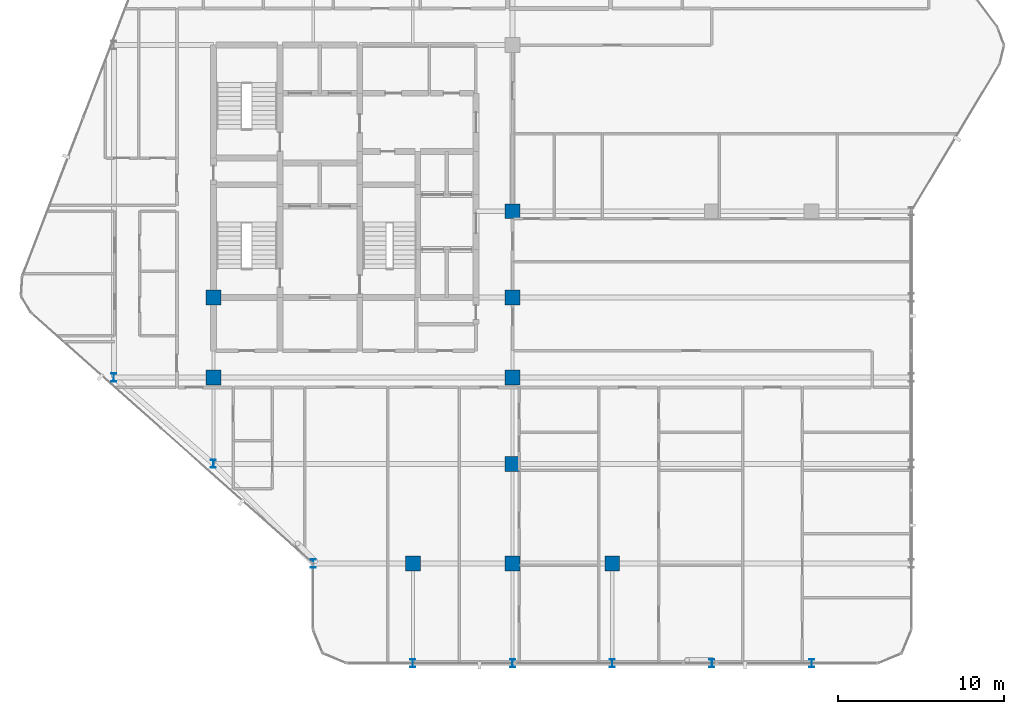
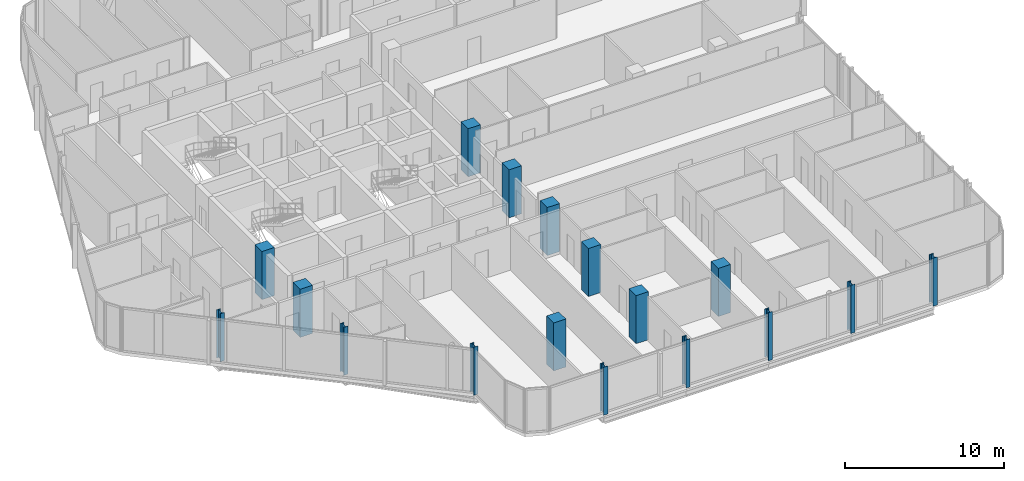
# One storey, part 1 of 31: 17 columns.
"""IFC4 building model written with IfcOpenShell, lengths in metres."""

from ifc_helpers import new_model, si_unit, direction, frame, origin, origin_2d, place, context, subcontext, project, spatial, rectangle, i_section, extrude, material, material_profile, profile_set, type_object, element, save


model = new_model("IFC4")

# Units and contexts
model_context = context("Model", 3, precision=1e-05, world=origin(), true_north=direction((0.0, 1.0)))
body_context = subcontext(model_context, "Body", "Model", "MODEL_VIEW")
ifc_project = project(units=[si_unit("LENGTHUNIT", "METRE"), si_unit("AREAUNIT", "SQUARE_METRE"), si_unit("VOLUMEUNIT", "CUBIC_METRE"), si_unit("PLANEANGLEUNIT", "RADIAN"), si_unit("MASSUNIT", "GRAM", prefix="KILO")], contexts=[model_context])

# Site, building, storey
site_placement = place(None, origin())
site = spatial("IfcSite", under=ifc_project, at=site_placement, CompositionType="ELEMENT")
building_placement = place(site_placement, origin())
building = spatial("IfcBuilding", under=site, at=building_placement, Name="Keshet Zoharim Tower", CompositionType="ELEMENT")
storey_placement = place(building_placement, frame((0.0, 0.0, 148.300048828125)))
storey = spatial("IfcBuildingStorey", under=building, at=storey_placement, Name="L36", CompositionType="ELEMENT", Elevation=148.300048828125)

# Columns
ifc_material_1 = material(Name="Steel S355", Category="steel")
ifc_material_profile_1 = material_profile(ifc_material_1, i_section(OverallWidth=0.300048828125, OverallDepth=0.5, WebThickness=0.014404296875, FlangeThickness=0.028076171875, FilletRadius=0.027099609375, at=origin_2d()), Name="HEB500")
ifc_profile_set_1 = profile_set([ifc_material_profile_1], Name="Steel S355")
column_type_1 = type_object("IfcColumnType", Name="COL-HEB500", PredefinedType="COLUMN", material=ifc_profile_set_1)
for number, where, z_axis, x_axis, name in (
    (1, (9.0, 17.89990234375, 0.0), (0.0, 0.0, 1.0), (1.0, 0.0, 0.0), "L36 Column 2D"),
    (2, (15.0, 12.699951171875, 0.0), (0.0, 0.0, 1.0), (1.0, 0.0, 0.0), "L36 Column 3C"),
    (3, (21.0, 6.699951171875, 0.0), (0.0, 0.0, 1.0), (1.0, 0.0, 0.0), "L36 Column 4B"),
    (4, (27.0, 0.699951171875, 0.0), (0.0, 0.0, 1.0), (1.0, 0.0, 0.0), "L36 Column 5A"),
    (5, (33.0, 0.699951171875, 0.0), (0.0, 0.0, 1.0), (1.0, 0.0, 0.0), "L36 Column 6A"),
    (6, (39.0, 0.699951171875, 0.0), (0.0, 0.0, 1.0), (1.0, 0.0, 0.0), "L36 Column 7A"),
    (7, (45.0, 0.699951171875, 0.0), (0.0, 0.0, 1.0), (1.0, 0.0, 0.0), "L36 Column 8A"),
    (8, (51.0, 0.699951171875, 0.0), (0.0, 0.0, 1.0), (1.0, 0.0, 0.0), "L36 Column 9A"),
):
    element("IfcColumn", number, at=place(storey_placement, frame(where, z_axis=z_axis, x_axis=x_axis)), inside=storey, type_object=column_type_1, Name=name, PredefinedType="COLUMN", context=body_context, shape_type="SweptSolid", body=[
        extrude(i_section(OverallWidth=0.300048828125, OverallDepth=0.5, WebThickness=0.014404296875, FlangeThickness=0.028076171875, FilletRadius=0.027099609375, at=origin_2d()), origin(), (0.0, 0.0, 1.0), 3.699951171875),
    ])
ifc_material_2 = material(Name="Concrete C60/75", Category="concrete")
ifc_material_profile_2 = material_profile(ifc_material_2, rectangle(XDim=0.89990234375, YDim=0.89990234375, at=origin_2d()), Name="RC900x900")
ifc_profile_set_2 = profile_set([ifc_material_profile_2], Name="Concrete C60/75")
column_type_2 = type_object("IfcColumnType", Name="COL-RC900", PredefinedType="COLUMN", material=ifc_profile_set_2)
for number, where, z_axis, x_axis, name in (
    (9, (15.0, 17.89990234375, 0.0), (0.0, 0.0, 1.0), (1.0, 0.0, 0.0), "L36 Column 3D"),
    (10, (15.0, 22.699951171875, 0.0), (0.0, 0.0, 1.0), (1.0, 0.0, 0.0), "L36 Column 3E"),
    (11, (27.0, 6.699951171875, 0.0), (0.0, 0.0, 1.0), (1.0, 0.0, 0.0), "L36 Column 5B"),
    (12, (33.0, 6.699951171875, 0.0), (0.0, 0.0, 1.0), (1.0, 0.0, 0.0), "L36 Column 6B"),
    (13, (33.0, 12.699951171875, 0.0), (0.0, 0.0, 1.0), (1.0, 0.0, 0.0), "L36 Column 6C"),
    (14, (33.0, 17.89990234375, 0.0), (0.0, 0.0, 1.0), (1.0, 0.0, 0.0), "L36 Column 6D"),
    (15, (33.0, 22.699951171875, 0.0), (0.0, 0.0, 1.0), (1.0, 0.0, 0.0), "L36 Column 6E"),
    (16, (33.0, 27.89990234375, 0.0), (0.0, 0.0, 1.0), (1.0, 0.0, 0.0), "L36 Column 6F"),
    (17, (39.0, 6.699951171875, 0.0), (0.0, 0.0, 1.0), (1.0, 0.0, 0.0), "L36 Column 7B"),
):
    element("IfcColumn", number, at=place(storey_placement, frame(where, z_axis=z_axis, x_axis=x_axis)), inside=storey, type_object=column_type_2, Name=name, PredefinedType="COLUMN", context=body_context, shape_type="SweptSolid", body=[
        extrude(rectangle(XDim=0.89990234375, YDim=0.89990234375, at=origin_2d()), origin(), (0.0, 0.0, 1.0), 3.699951171875),
    ])

save(model, "model.ifc")
